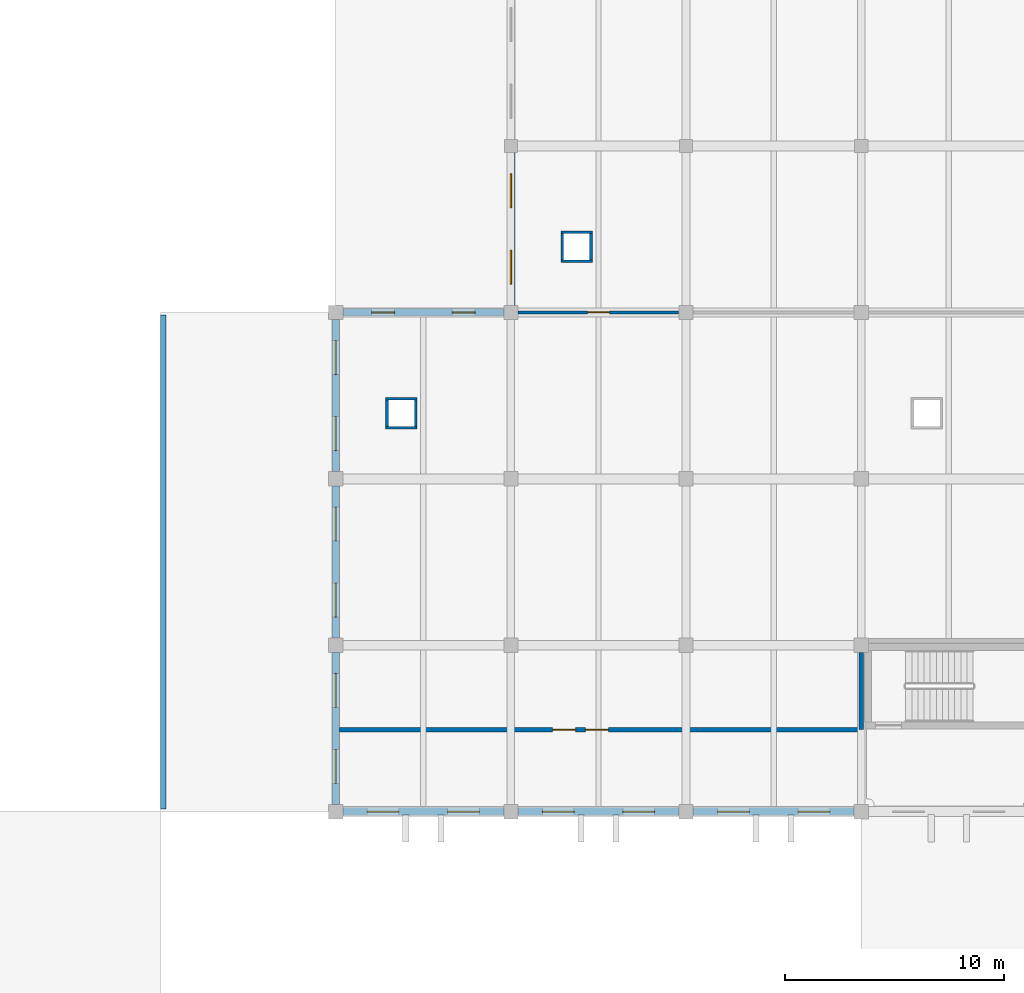
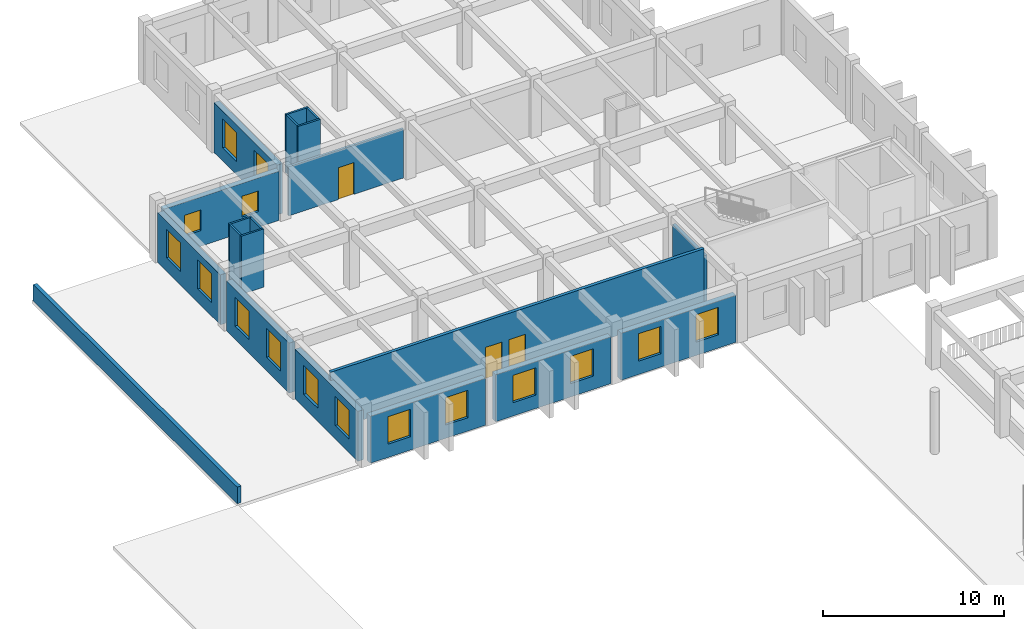
# One storey, part 38 of 63: 20 walls, 16 windows, 3 doors, 19 openings.
"""IFC4 building model written with IfcOpenShell, lengths in metres."""

from ifc_helpers import new_model, si_unit, direction, frame, frame_2d, origin, place, context, subcontext, project, spatial, rectangle, extrude, material, layer, layer_set, type_object, element, fill, save


model = new_model("IFC4")

# Units and contexts
model_context = context("Model", 3, precision=1e-05, world=origin(), true_north=direction((0.0, 1.0)))
body_context = subcontext(model_context, "Body", "Model", "MODEL_VIEW")
ifc_project = project(units=[si_unit("LENGTHUNIT", "METRE"), si_unit("AREAUNIT", "SQUARE_METRE"), si_unit("VOLUMEUNIT", "CUBIC_METRE"), si_unit("PLANEANGLEUNIT", "RADIAN"), si_unit("MASSUNIT", "GRAM", prefix="KILO")], contexts=[model_context])

# Site, building, storey
site_placement = place(None, origin())
site = spatial("IfcSite", under=ifc_project, at=site_placement, CompositionType="ELEMENT")
building_placement = place(site_placement, origin())
building = spatial("IfcBuilding", under=site, at=building_placement, Name="Zantavel Square City Hall", CompositionType="ELEMENT")
storey_placement = place(building_placement, frame((0.0, 0.0, 14.699951171875)))
storey = spatial("IfcBuildingStorey", under=building, at=storey_placement, Name="L04", CompositionType="ELEMENT", Elevation=14.699951171875)

# Wall
ifc_material_1 = material(Name="Cantera volcanic tuff stone", Category="masonry")
ifc_layer_1 = layer(ifc_material_1, 0.239990234375, Name="Cantera volcanic tuff stone")
ifc_layer_set_1 = layer_set([ifc_layer_1], Name="Cantera volcanic tuff stone")
wall_type_1 = type_object("IfcWallType", Name="Cantera Wing Roof Parapet 240mm", PredefinedType="PARAPET", material=ifc_layer_set_1)
wall_1_placement = place(storey_placement, frame((16.1201171875, 76.1201171875, 0.0), z_axis=(0.0, 0.0, 1.0), x_axis=(0.0, 1.0, 0.0)))
element("IfcWall", 1, at=wall_1_placement, inside=storey, type_object=wall_type_1, Name="L04 Roof Parapet Wall 08", PredefinedType="PARAPET", context=body_context, shape_type="SweptSolid", body=[
    extrude(rectangle(XDim=22.559814453125, YDim=0.239990234375, at=frame_2d((11.27978515625, 0.0))), origin(), (0.0, 0.0, 1.0), 1.1201171875),
])

# Wall, openings, windows
ifc_layer_2 = layer(ifc_material_1, 0.360107421875, Name="Cantera volcanic tuff stone")
ifc_layer_set_2 = layer_set([ifc_layer_2], Name="Cantera volcanic tuff stone")
wall_type_2 = type_object("IfcWallType", Name="Courtyard Cantera Facade Wall 360mm", PredefinedType="STANDARD", material=ifc_layer_set_2)
wall_2_placement = place(storey_placement, frame((32.0, 99.125, 0.0), z_axis=(0.0, 0.0, 1.0), x_axis=(0.0, 1.0, 0.0)))
wall_2 = element("IfcWall", 2, at=wall_2_placement, inside=storey, type_object=wall_type_2, Name="L04 Exterior Wall EW-L04-021", PredefinedType="STANDARD", context=body_context, shape_type="SweptSolid", body=[
    extrude(rectangle(XDim=6.97509765625, YDim=0.360107421875, at=frame_2d((3.487548828125, 0.0))), origin(), (0.0, 0.0, 1.0), 3.3701171875),
])
opening_1_placement = place(wall_2_placement, frame((0.96875, 0.0, 0.89990234375)))
opening_1 = element("IfcOpeningElement", 3, at=opening_1_placement, cuts=wall_2, Name="Opening W-426", PredefinedType="OPENING", context=body_context, shape_type="SweptSolid", body=[
    extrude(rectangle(XDim=1.550048828125, YDim=1.949951171875, at=frame_2d((0.77490234375, 0.97509765625))), frame((0.0, 0.18994140625, 0.0), z_axis=(0.0, -1.0, 0.0), x_axis=(1.0, 0.0, 0.0)), (0.0, 0.0, 1.0), 0.380126953125),
])
opening_2_placement = place(wall_2_placement, frame((4.456298828125, 0.0, 0.89990234375)))
opening_2 = element("IfcOpeningElement", 4, at=opening_2_placement, cuts=wall_2, Name="Opening W-427", PredefinedType="OPENING", context=body_context, shape_type="SweptSolid", body=[
    extrude(rectangle(XDim=1.550048828125, YDim=1.949951171875, at=frame_2d((0.77490234375, 0.97509765625))), frame((0.0, 0.18994140625, 0.0), z_axis=(0.0, -1.0, 0.0), x_axis=(1.0, 0.0, 0.0)), (0.0, 0.0, 1.0), 0.380126953125),
])
ifc_material_2 = material(Name="Tempered safety glass low-E double glazing", Category="glass")
window_type_1 = type_object("IfcWindowType", Name="Window Committee Suite 1550x1950", PartitioningType="DOUBLE_PANEL_VERTICAL", PredefinedType="WINDOW", material=ifc_material_2)
window_1_placement = place(opening_1_placement, origin())
window_1 = element("IfcWindow", 5, at=window_1_placement, inside=storey, type_object=window_type_1, Name="L04 Window W-426", OverallHeight=1.949951171875, OverallWidth=1.550048828125, PartitioningType="DOUBLE_PANEL_VERTICAL", PredefinedType="WINDOW", context=body_context, shape_type="SweptSolid", body=[
    extrude(rectangle(XDim=1.550048828125, YDim=1.949951171875, at=frame_2d((0.77490234375, 0.97509765625))), frame((0.0, 0.030029296875, 0.0), z_axis=(0.0, -1.0, 0.0), x_axis=(1.0, 0.0, 0.0)), (0.0, 0.0, 1.0), 0.06005859375),
])
fill(opening_1, window_1)
window_2_placement = place(opening_2_placement, origin())
window_2 = element("IfcWindow", 6, at=window_2_placement, inside=storey, type_object=window_type_1, Name="L04 Window W-427", OverallHeight=1.949951171875, OverallWidth=1.550048828125, PartitioningType="DOUBLE_PANEL_VERTICAL", PredefinedType="WINDOW", context=body_context, shape_type="SweptSolid", body=[
    extrude(rectangle(XDim=1.550048828125, YDim=1.949951171875, at=frame_2d((0.77490234375, 0.97509765625))), frame((0.0, 0.030029296875, 0.0), z_axis=(0.0, -1.0, 0.0), x_axis=(1.0, 0.0, 0.0)), (0.0, 0.0, 1.0), 0.06005859375),
])
fill(opening_2, window_2)

wall_3_placement = place(storey_placement, frame((47.675048828125, 76.0, 0.0), z_axis=(0.0, 0.0, 1.0), x_axis=(-1.0, 0.0, 0.0)))
wall_3 = element("IfcWall", 7, at=wall_3_placement, inside=storey, type_object=wall_type_2, Name="L04 Exterior Wall EW-L04-037", PredefinedType="STANDARD", context=body_context, shape_type="SweptSolid", body=[
    extrude(rectangle(XDim=7.35009765625, YDim=0.360107421875, at=frame_2d((3.675048828125, 0.0))), origin(), (0.0, 0.0, 1.0), 3.170166015625),
])
opening_3_placement = place(wall_3_placement, frame((1.112548828125, 0.0, 0.89990234375)))
opening_3 = element("IfcOpeningElement", 8, at=opening_3_placement, cuts=wall_3, Name="Opening W-452", PredefinedType="OPENING", context=body_context, shape_type="SweptSolid", body=[
    extrude(rectangle(XDim=1.449951171875, YDim=1.85009765625, at=frame_2d((0.72509765625, 0.925048828125))), frame((0.0, 0.18994140625, 0.0), z_axis=(0.0, -1.0, 0.0), x_axis=(1.0, 0.0, 0.0)), (0.0, 0.0, 1.0), 0.380126953125),
])
opening_4_placement = place(wall_3_placement, frame((4.78759765625, 0.0, 0.89990234375)))
opening_4 = element("IfcOpeningElement", 9, at=opening_4_placement, cuts=wall_3, Name="Opening W-453", PredefinedType="OPENING", context=body_context, shape_type="SweptSolid", body=[
    extrude(rectangle(XDim=1.449951171875, YDim=1.85009765625, at=frame_2d((0.72509765625, 0.925048828125))), frame((0.0, 0.18994140625, 0.0), z_axis=(0.0, -1.0, 0.0), x_axis=(1.0, 0.0, 0.0)), (0.0, 0.0, 1.0), 0.380126953125),
])
window_type_2 = type_object("IfcWindowType", Name="Window Secretariat South 1450x1850", PartitioningType="DOUBLE_PANEL_VERTICAL", PredefinedType="WINDOW", material=ifc_material_2)
window_3_placement = place(opening_3_placement, origin())
window_3 = element("IfcWindow", 10, at=window_3_placement, inside=storey, type_object=window_type_2, Name="L04 Window W-452", OverallHeight=1.85009765625, OverallWidth=1.449951171875, PartitioningType="DOUBLE_PANEL_VERTICAL", PredefinedType="WINDOW", context=body_context, shape_type="SweptSolid", body=[
    extrude(rectangle(XDim=1.449951171875, YDim=1.85009765625, at=frame_2d((0.72509765625, 0.925048828125))), frame((0.0, 0.030029296875, 0.0), z_axis=(0.0, -1.0, 0.0), x_axis=(1.0, 0.0, 0.0)), (0.0, 0.0, 1.0), 0.06005859375),
])
fill(opening_3, window_3)
window_4_placement = place(opening_4_placement, origin())
window_4 = element("IfcWindow", 11, at=window_4_placement, inside=storey, type_object=window_type_2, Name="L04 Window W-453", OverallHeight=1.85009765625, OverallWidth=1.449951171875, PartitioningType="DOUBLE_PANEL_VERTICAL", PredefinedType="WINDOW", context=body_context, shape_type="SweptSolid", body=[
    extrude(rectangle(XDim=1.449951171875, YDim=1.85009765625, at=frame_2d((0.72509765625, 0.925048828125))), frame((0.0, 0.030029296875, 0.0), z_axis=(0.0, -1.0, 0.0), x_axis=(1.0, 0.0, 0.0)), (0.0, 0.0, 1.0), 0.06005859375),
])
fill(opening_4, window_4)

wall_4_placement = place(storey_placement, frame((39.675048828125, 76.0, 0.0), z_axis=(0.0, 0.0, 1.0), x_axis=(-1.0, 0.0, 0.0)))
wall_4 = element("IfcWall", 12, at=wall_4_placement, inside=storey, type_object=wall_type_2, Name="L04 Exterior Wall EW-L04-038", PredefinedType="STANDARD", context=body_context, shape_type="SweptSolid", body=[
    extrude(rectangle(XDim=7.35009765625, YDim=0.360107421875, at=frame_2d((3.675048828125, 0.0))), origin(), (0.0, 0.0, 1.0), 3.170166015625),
])
opening_5_placement = place(wall_4_placement, frame((1.112548828125, 0.0, 0.89990234375)))
opening_5 = element("IfcOpeningElement", 13, at=opening_5_placement, cuts=wall_4, Name="Opening W-454", PredefinedType="OPENING", context=body_context, shape_type="SweptSolid", body=[
    extrude(rectangle(XDim=1.449951171875, YDim=1.85009765625, at=frame_2d((0.72509765625, 0.925048828125))), frame((0.0, 0.18994140625, 0.0), z_axis=(0.0, -1.0, 0.0), x_axis=(1.0, 0.0, 0.0)), (0.0, 0.0, 1.0), 0.380126953125),
])
opening_6_placement = place(wall_4_placement, frame((4.78759765625, 0.0, 0.89990234375)))
opening_6 = element("IfcOpeningElement", 14, at=opening_6_placement, cuts=wall_4, Name="Opening W-455", PredefinedType="OPENING", context=body_context, shape_type="SweptSolid", body=[
    extrude(rectangle(XDim=1.449951171875, YDim=1.85009765625, at=frame_2d((0.72509765625, 0.925048828125))), frame((0.0, 0.18994140625, 0.0), z_axis=(0.0, -1.0, 0.0), x_axis=(1.0, 0.0, 0.0)), (0.0, 0.0, 1.0), 0.380126953125),
])
window_5_placement = place(opening_5_placement, origin())
window_5 = element("IfcWindow", 15, at=window_5_placement, inside=storey, type_object=window_type_2, Name="L04 Window W-454", OverallHeight=1.85009765625, OverallWidth=1.449951171875, PartitioningType="DOUBLE_PANEL_VERTICAL", PredefinedType="WINDOW", context=body_context, shape_type="SweptSolid", body=[
    extrude(rectangle(XDim=1.449951171875, YDim=1.85009765625, at=frame_2d((0.72509765625, 0.925048828125))), frame((0.0, 0.030029296875, 0.0), z_axis=(0.0, -1.0, 0.0), x_axis=(1.0, 0.0, 0.0)), (0.0, 0.0, 1.0), 0.06005859375),
])
fill(opening_5, window_5)
window_6_placement = place(opening_6_placement, origin())
window_6 = element("IfcWindow", 16, at=window_6_placement, inside=storey, type_object=window_type_2, Name="L04 Window W-455", OverallHeight=1.85009765625, OverallWidth=1.449951171875, PartitioningType="DOUBLE_PANEL_VERTICAL", PredefinedType="WINDOW", context=body_context, shape_type="SweptSolid", body=[
    extrude(rectangle(XDim=1.449951171875, YDim=1.85009765625, at=frame_2d((0.72509765625, 0.925048828125))), frame((0.0, 0.030029296875, 0.0), z_axis=(0.0, -1.0, 0.0), x_axis=(1.0, 0.0, 0.0)), (0.0, 0.0, 1.0), 0.06005859375),
])
fill(opening_6, window_6)

wall_5_placement = place(storey_placement, frame((31.675048828125, 76.0, 0.0), z_axis=(0.0, 0.0, 1.0), x_axis=(-1.0, 0.0, 0.0)))
wall_5 = element("IfcWall", 17, at=wall_5_placement, inside=storey, type_object=wall_type_2, Name="L04 Exterior Wall EW-L04-039", PredefinedType="STANDARD", context=body_context, shape_type="SweptSolid", body=[
    extrude(rectangle(XDim=7.35009765625, YDim=0.360107421875, at=frame_2d((3.675048828125, 0.0))), origin(), (0.0, 0.0, 1.0), 3.170166015625),
])
opening_7_placement = place(wall_5_placement, frame((1.112548828125, 0.0, 0.89990234375)))
opening_7 = element("IfcOpeningElement", 18, at=opening_7_placement, cuts=wall_5, Name="Opening W-456", PredefinedType="OPENING", context=body_context, shape_type="SweptSolid", body=[
    extrude(rectangle(XDim=1.449951171875, YDim=1.85009765625, at=frame_2d((0.72509765625, 0.925048828125))), frame((0.0, 0.18994140625, 0.0), z_axis=(0.0, -1.0, 0.0), x_axis=(1.0, 0.0, 0.0)), (0.0, 0.0, 1.0), 0.380126953125),
])
opening_8_placement = place(wall_5_placement, frame((4.78759765625, 0.0, 0.89990234375)))
opening_8 = element("IfcOpeningElement", 19, at=opening_8_placement, cuts=wall_5, Name="Opening W-457", PredefinedType="OPENING", context=body_context, shape_type="SweptSolid", body=[
    extrude(rectangle(XDim=1.449951171875, YDim=1.85009765625, at=frame_2d((0.72509765625, 0.925048828125))), frame((0.0, 0.18994140625, 0.0), z_axis=(0.0, -1.0, 0.0), x_axis=(1.0, 0.0, 0.0)), (0.0, 0.0, 1.0), 0.380126953125),
])
window_7_placement = place(opening_7_placement, origin())
window_7 = element("IfcWindow", 20, at=window_7_placement, inside=storey, type_object=window_type_2, Name="L04 Window W-456", OverallHeight=1.85009765625, OverallWidth=1.449951171875, PartitioningType="DOUBLE_PANEL_VERTICAL", PredefinedType="WINDOW", context=body_context, shape_type="SweptSolid", body=[
    extrude(rectangle(XDim=1.449951171875, YDim=1.85009765625, at=frame_2d((0.72509765625, 0.925048828125))), frame((0.0, 0.030029296875, 0.0), z_axis=(0.0, -1.0, 0.0), x_axis=(1.0, 0.0, 0.0)), (0.0, 0.0, 1.0), 0.06005859375),
])
fill(opening_7, window_7)
window_8_placement = place(opening_8_placement, origin())
window_8 = element("IfcWindow", 21, at=window_8_placement, inside=storey, type_object=window_type_2, Name="L04 Window W-457", OverallHeight=1.85009765625, OverallWidth=1.449951171875, PartitioningType="DOUBLE_PANEL_VERTICAL", PredefinedType="WINDOW", context=body_context, shape_type="SweptSolid", body=[
    extrude(rectangle(XDim=1.449951171875, YDim=1.85009765625, at=frame_2d((0.72509765625, 0.925048828125))), frame((0.0, 0.030029296875, 0.0), z_axis=(0.0, -1.0, 0.0), x_axis=(1.0, 0.0, 0.0)), (0.0, 0.0, 1.0), 0.06005859375),
])
fill(opening_8, window_8)

wall_6_placement = place(storey_placement, frame((24.0, 76.324951171875, 0.0), z_axis=(0.0, 0.0, 1.0), x_axis=(0.0, 1.0, 0.0)))
wall_6 = element("IfcWall", 22, at=wall_6_placement, inside=storey, type_object=wall_type_2, Name="L04 Exterior Wall EW-L04-040", PredefinedType="STANDARD", context=body_context, shape_type="SweptSolid", body=[
    extrude(rectangle(XDim=6.949951171875, YDim=0.360107421875, at=frame_2d((3.47509765625, 0.0))), origin(), (0.0, 0.0, 1.0), 3.3701171875),
])
opening_9_placement = place(wall_6_placement, frame((0.96240234375, 0.0, 0.89990234375)))
opening_9 = element("IfcOpeningElement", 23, at=opening_9_placement, cuts=wall_6, Name="Opening W-458", PredefinedType="OPENING", context=body_context, shape_type="SweptSolid", body=[
    extrude(rectangle(XDim=1.550048828125, YDim=1.949951171875, at=frame_2d((0.77490234375, 0.97509765625))), frame((0.0, 0.18994140625, 0.0), z_axis=(0.0, -1.0, 0.0), x_axis=(1.0, 0.0, 0.0)), (0.0, 0.0, 1.0), 0.380126953125),
])
opening_10_placement = place(wall_6_placement, frame((4.4375, 0.0, 0.89990234375)))
opening_10 = element("IfcOpeningElement", 24, at=opening_10_placement, cuts=wall_6, Name="Opening W-459", PredefinedType="OPENING", context=body_context, shape_type="SweptSolid", body=[
    extrude(rectangle(XDim=1.550048828125, YDim=1.949951171875, at=frame_2d((0.77490234375, 0.97509765625))), frame((0.0, 0.18994140625, 0.0), z_axis=(0.0, -1.0, 0.0), x_axis=(1.0, 0.0, 0.0)), (0.0, 0.0, 1.0), 0.380126953125),
])
window_9_placement = place(opening_9_placement, origin())
window_9 = element("IfcWindow", 25, at=window_9_placement, inside=storey, type_object=window_type_1, Name="L04 Window W-458", OverallHeight=1.949951171875, OverallWidth=1.550048828125, PartitioningType="DOUBLE_PANEL_VERTICAL", PredefinedType="WINDOW", context=body_context, shape_type="SweptSolid", body=[
    extrude(rectangle(XDim=1.550048828125, YDim=1.949951171875, at=frame_2d((0.77490234375, 0.97509765625))), frame((0.0, 0.030029296875, 0.0), z_axis=(0.0, -1.0, 0.0), x_axis=(1.0, 0.0, 0.0)), (0.0, 0.0, 1.0), 0.06005859375),
])
fill(opening_9, window_9)
window_10_placement = place(opening_10_placement, origin())
window_10 = element("IfcWindow", 26, at=window_10_placement, inside=storey, type_object=window_type_1, Name="L04 Window W-459", OverallHeight=1.949951171875, OverallWidth=1.550048828125, PartitioningType="DOUBLE_PANEL_VERTICAL", PredefinedType="WINDOW", context=body_context, shape_type="SweptSolid", body=[
    extrude(rectangle(XDim=1.550048828125, YDim=1.949951171875, at=frame_2d((0.77490234375, 0.97509765625))), frame((0.0, 0.030029296875, 0.0), z_axis=(0.0, -1.0, 0.0), x_axis=(1.0, 0.0, 0.0)), (0.0, 0.0, 1.0), 0.06005859375),
])
fill(opening_10, window_10)

wall_7_placement = place(storey_placement, frame((24.0, 83.925048828125, 0.0), z_axis=(0.0, 0.0, 1.0), x_axis=(0.0, 1.0, 0.0)))
wall_7 = element("IfcWall", 27, at=wall_7_placement, inside=storey, type_object=wall_type_2, Name="L04 Exterior Wall EW-L04-041", PredefinedType="STANDARD", context=body_context, shape_type="SweptSolid", body=[
    extrude(rectangle(XDim=6.949951171875, YDim=0.360107421875, at=frame_2d((3.47509765625, 0.0))), origin(), (0.0, 0.0, 1.0), 3.3701171875),
])
opening_11_placement = place(wall_7_placement, frame((0.96240234375, 0.0, 0.89990234375)))
opening_11 = element("IfcOpeningElement", 28, at=opening_11_placement, cuts=wall_7, Name="Opening W-460", PredefinedType="OPENING", context=body_context, shape_type="SweptSolid", body=[
    extrude(rectangle(XDim=1.550048828125, YDim=1.949951171875, at=frame_2d((0.77490234375, 0.97509765625))), frame((0.0, 0.18994140625, 0.0), z_axis=(0.0, -1.0, 0.0), x_axis=(1.0, 0.0, 0.0)), (0.0, 0.0, 1.0), 0.380126953125),
])
opening_12_placement = place(wall_7_placement, frame((4.4375, 0.0, 0.89990234375)))
opening_12 = element("IfcOpeningElement", 29, at=opening_12_placement, cuts=wall_7, Name="Opening W-461", PredefinedType="OPENING", context=body_context, shape_type="SweptSolid", body=[
    extrude(rectangle(XDim=1.550048828125, YDim=1.949951171875, at=frame_2d((0.77490234375, 0.97509765625))), frame((0.0, 0.18994140625, 0.0), z_axis=(0.0, -1.0, 0.0), x_axis=(1.0, 0.0, 0.0)), (0.0, 0.0, 1.0), 0.380126953125),
])
window_11_placement = place(opening_11_placement, origin())
window_11 = element("IfcWindow", 30, at=window_11_placement, inside=storey, type_object=window_type_1, Name="L04 Window W-460", OverallHeight=1.949951171875, OverallWidth=1.550048828125, PartitioningType="DOUBLE_PANEL_VERTICAL", PredefinedType="WINDOW", context=body_context, shape_type="SweptSolid", body=[
    extrude(rectangle(XDim=1.550048828125, YDim=1.949951171875, at=frame_2d((0.77490234375, 0.97509765625))), frame((0.0, 0.030029296875, 0.0), z_axis=(0.0, -1.0, 0.0), x_axis=(1.0, 0.0, 0.0)), (0.0, 0.0, 1.0), 0.06005859375),
])
fill(opening_11, window_11)
window_12_placement = place(opening_12_placement, origin())
window_12 = element("IfcWindow", 31, at=window_12_placement, inside=storey, type_object=window_type_1, Name="L04 Window W-461", OverallHeight=1.949951171875, OverallWidth=1.550048828125, PartitioningType="DOUBLE_PANEL_VERTICAL", PredefinedType="WINDOW", context=body_context, shape_type="SweptSolid", body=[
    extrude(rectangle(XDim=1.550048828125, YDim=1.949951171875, at=frame_2d((0.77490234375, 0.97509765625))), frame((0.0, 0.030029296875, 0.0), z_axis=(0.0, -1.0, 0.0), x_axis=(1.0, 0.0, 0.0)), (0.0, 0.0, 1.0), 0.06005859375),
])
fill(opening_12, window_12)

wall_8_placement = place(storey_placement, frame((24.0, 91.52490234375, 0.0), z_axis=(0.0, 0.0, 1.0), x_axis=(0.0, 1.0, 0.0)))
wall_8 = element("IfcWall", 32, at=wall_8_placement, inside=storey, type_object=wall_type_2, Name="L04 Exterior Wall EW-L04-042", PredefinedType="STANDARD", context=body_context, shape_type="SweptSolid", body=[
    extrude(rectangle(XDim=6.9501953125, YDim=0.360107421875, at=frame_2d((3.47509765625, 0.0))), origin(), (0.0, 0.0, 1.0), 3.3701171875),
])
opening_13_placement = place(wall_8_placement, frame((0.96240234375, 0.0, 0.89990234375)))
opening_13 = element("IfcOpeningElement", 33, at=opening_13_placement, cuts=wall_8, Name="Opening W-462", PredefinedType="OPENING", context=body_context, shape_type="SweptSolid", body=[
    extrude(rectangle(XDim=1.550048828125, YDim=1.949951171875, at=frame_2d((0.77490234375, 0.97509765625))), frame((0.0, 0.18994140625, 0.0), z_axis=(0.0, -1.0, 0.0), x_axis=(1.0, 0.0, 0.0)), (0.0, 0.0, 1.0), 0.380126953125),
])
opening_14_placement = place(wall_8_placement, frame((4.4375, 0.0, 0.89990234375)))
opening_14 = element("IfcOpeningElement", 34, at=opening_14_placement, cuts=wall_8, Name="Opening W-463", PredefinedType="OPENING", context=body_context, shape_type="SweptSolid", body=[
    extrude(rectangle(XDim=1.550048828125, YDim=1.949951171875, at=frame_2d((0.77490234375, 0.97509765625))), frame((0.0, 0.18994140625, 0.0), z_axis=(0.0, -1.0, 0.0), x_axis=(1.0, 0.0, 0.0)), (0.0, 0.0, 1.0), 0.380126953125),
])
window_13_placement = place(opening_13_placement, origin())
window_13 = element("IfcWindow", 35, at=window_13_placement, inside=storey, type_object=window_type_1, Name="L04 Window W-462", OverallHeight=1.949951171875, OverallWidth=1.550048828125, PartitioningType="DOUBLE_PANEL_VERTICAL", PredefinedType="WINDOW", context=body_context, shape_type="SweptSolid", body=[
    extrude(rectangle(XDim=1.550048828125, YDim=1.949951171875, at=frame_2d((0.77490234375, 0.97509765625))), frame((0.0, 0.030029296875, 0.0), z_axis=(0.0, -1.0, 0.0), x_axis=(1.0, 0.0, 0.0)), (0.0, 0.0, 1.0), 0.06005859375),
])
fill(opening_13, window_13)
window_14_placement = place(opening_14_placement, origin())
window_14 = element("IfcWindow", 36, at=window_14_placement, inside=storey, type_object=window_type_1, Name="L04 Window W-463", OverallHeight=1.949951171875, OverallWidth=1.550048828125, PartitioningType="DOUBLE_PANEL_VERTICAL", PredefinedType="WINDOW", context=body_context, shape_type="SweptSolid", body=[
    extrude(rectangle(XDim=1.550048828125, YDim=1.949951171875, at=frame_2d((0.77490234375, 0.97509765625))), frame((0.0, 0.030029296875, 0.0), z_axis=(0.0, -1.0, 0.0), x_axis=(1.0, 0.0, 0.0)), (0.0, 0.0, 1.0), 0.06005859375),
])
fill(opening_14, window_14)

# Wall, opening, door
ifc_material_3 = material(Name="Gypsum acoustic stud assembly", Category="masonry")
ifc_layer_3 = layer(ifc_material_3, 0.14990234375, Name="Gypsum acoustic stud assembly")
ifc_layer_set_3 = layer_set([ifc_layer_3], Name="Gypsum acoustic stud assembly")
wall_type_3 = type_object("IfcWallType", Name="Department Office Partition 150mm", PredefinedType="PARTITIONING", material=ifc_layer_set_3)
wall_9_placement = place(storey_placement, frame((32.3349609375, 98.800048828125, 0.0), z_axis=(0.0, 0.0, 1.0), x_axis=(1.0, 0.0, 0.0)))
wall_9 = element("IfcWall", 37, at=wall_9_placement, inside=storey, type_object=wall_type_3, Name="L04 Interior Wall IW-L04-0327", PredefinedType="PARTITIONING", context=body_context, shape_type="SweptSolid", body=[
    extrude(rectangle(XDim=7.330078125, YDim=0.14990234375, at=frame_2d((3.6650390625, 0.0))), origin(), (0.0, 0.0, 1.0), 3.320068359375),
])
opening_15_placement = place(wall_9_placement, frame((3.1650390625, 0.0, 0.0)))
opening_15 = element("IfcOpeningElement", 38, at=opening_15_placement, cuts=wall_9, Name="Opening D-0157", PredefinedType="OPENING", context=body_context, shape_type="SweptSolid", body=[
    extrude(rectangle(XDim=1.0, YDim=2.14990234375, at=frame_2d((0.5, 1.074951171875))), frame((0.0, 0.0849609375, 0.0), z_axis=(0.0, -1.0, 0.0), x_axis=(1.0, 0.0, 0.0)), (0.0, 0.0, 1.0), 0.169921875),
])
ifc_material_4 = material(Name="Solid oak hardwood", Category="wood")
door_type_1 = type_object("IfcDoorType", Name="Suite Internal Oak Single Door 1000x2150", OperationType="NOTDEFINED", PredefinedType="DOOR", material=ifc_material_4)
door_1_placement = place(opening_15_placement, origin())
door_1 = element("IfcDoor", 39, at=door_1_placement, inside=storey, type_object=door_type_1, Name="L04 Municipal Command Centre C4 Door", OperationType="SINGLE_SWING_LEFT", OverallHeight=2.14990234375, OverallWidth=1.0, PredefinedType="DOOR", context=body_context, shape_type="SweptSolid", body=[
    extrude(rectangle(XDim=1.0, YDim=2.14990234375, at=frame_2d((0.5, 1.074951171875))), frame((0.0, 0.02490234375, 0.0), z_axis=(0.0, -1.0, 0.0), x_axis=(1.0, 0.0, 0.0)), (0.0, 0.0, 1.0), 0.050048828125),
])
fill(opening_15, door_1)

# Wall
ifc_layer_4 = layer(ifc_material_1, 0.199951171875, Name="Cantera volcanic tuff stone")
ifc_layer_set_4 = layer_set([ifc_layer_4], Name="Cantera volcanic tuff stone")
wall_type_4 = type_object("IfcWallType", Name="Exit Corridor Rated Wall 200mm", PredefinedType="STANDARD", material=ifc_layer_set_4)
wall_10_placement = place(storey_placement, frame((48.0, 79.75, 0.0), z_axis=(0.0, 0.0, 1.0), x_axis=(0.0, 1.0, 0.0)))
element("IfcWall", 40, at=wall_10_placement, inside=storey, type_object=wall_type_4, Name="L04 Interior Wall IW-L04-0298", PredefinedType="STANDARD", context=body_context, shape_type="SweptSolid", body=[
    extrude(rectangle(XDim=3.514892578125, YDim=0.199951171875, at=frame_2d((1.75732421875, 0.0))), origin(), (0.0, 0.0, 1.0), 3.3701171875),
])

# Wall, openings, doors
wall_11_placement = place(storey_placement, frame((47.85009765625, 79.75, 0.0), z_axis=(0.0, 0.0, 1.0), x_axis=(-1.0, 0.0, 0.0)))
wall_11 = element("IfcWall", 41, at=wall_11_placement, inside=storey, type_object=wall_type_4, Name="L04 Interior Wall IW-L04-0330", PredefinedType="STANDARD", context=body_context, shape_type="SweptSolid", body=[
    extrude(rectangle(XDim=23.85009765625, YDim=0.199951171875, at=frame_2d((11.925048828125, 0.0))), origin(), (0.0, 0.0, 1.0), 3.929931640625),
])
opening_16_placement = place(wall_11_placement, frame((11.39990234375, 0.0, 0.0)))
opening_16 = element("IfcOpeningElement", 42, at=opening_16_placement, cuts=wall_11, Name="Opening D-0152", PredefinedType="OPENING", context=body_context, shape_type="SweptSolid", body=[
    extrude(rectangle(XDim=1.050048828125, YDim=2.14990234375, at=frame_2d((0.52490234375, 1.074951171875))), frame((0.0, 0.10986328125, 0.0), z_axis=(0.0, -1.0, 0.0), x_axis=(1.0, 0.0, 0.0)), (0.0, 0.0, 1.0), 0.219970703125),
])
opening_17_placement = place(wall_11_placement, frame((12.89990234375, 0.0, 0.0)))
opening_17 = element("IfcOpeningElement", 43, at=opening_17_placement, cuts=wall_11, Name="Opening D-0158", PredefinedType="OPENING", context=body_context, shape_type="SweptSolid", body=[
    extrude(rectangle(XDim=1.050048828125, YDim=2.14990234375, at=frame_2d((0.52490234375, 1.074951171875))), frame((0.0, 0.10986328125, 0.0), z_axis=(0.0, -1.0, 0.0), x_axis=(1.0, 0.0, 0.0)), (0.0, 0.0, 1.0), 0.219970703125),
])
door_type_2 = type_object("IfcDoorType", Name="Corridor Office Oak Fire Door 1050x2150 FD60S", OperationType="NOTDEFINED", PredefinedType="DOOR", material=ifc_material_4)
door_2_placement = place(opening_16_placement, origin())
door_2 = element("IfcDoor", 44, at=door_2_placement, inside=storey, type_object=door_type_2, Name="L04 Municipal Comptroller Audit Suite Door", OperationType="SINGLE_SWING_RIGHT", OverallHeight=2.14990234375, OverallWidth=1.050048828125, PredefinedType="DOOR", context=body_context, shape_type="SweptSolid", body=[
    extrude(rectangle(XDim=1.050048828125, YDim=2.14990234375, at=frame_2d((0.52490234375, 1.074951171875))), frame((0.0, 0.02490234375, 0.0), z_axis=(0.0, -1.0, 0.0), x_axis=(1.0, 0.0, 0.0)), (0.0, 0.0, 1.0), 0.050048828125),
])
fill(opening_16, door_2)
door_3_placement = place(opening_17_placement, origin())
door_3 = element("IfcDoor", 45, at=door_3_placement, inside=storey, type_object=door_type_2, Name="L04 Municipal Comptroller Audit Suite Door", OperationType="SINGLE_SWING_RIGHT", OverallHeight=2.14990234375, OverallWidth=1.050048828125, PredefinedType="DOOR", context=body_context, shape_type="SweptSolid", body=[
    extrude(rectangle(XDim=1.050048828125, YDim=2.14990234375, at=frame_2d((0.52490234375, 1.074951171875))), frame((0.0, 0.02490234375, 0.0), z_axis=(0.0, -1.0, 0.0), x_axis=(1.0, 0.0, 0.0)), (0.0, 0.0, 1.0), 0.050048828125),
])
fill(opening_17, door_3)

# Wall, openings, windows
ifc_layer_5 = layer(ifc_material_1, 0.340087890625, Name="Cantera volcanic tuff stone")
ifc_layer_set_5 = layer_set([ifc_layer_5], Name="Cantera volcanic tuff stone")
wall_type_5 = type_object("IfcWallType", Name="North Insulated Cantera Wall 340mm", PredefinedType="STANDARD", material=ifc_layer_set_5)
wall_12_placement = place(storey_placement, frame((24.324951171875, 98.800048828125, 0.0), z_axis=(0.0, 0.0, 1.0), x_axis=(1.0, 0.0, 0.0)))
wall_12 = element("IfcWall", 46, at=wall_12_placement, inside=storey, type_object=wall_type_5, Name="L04 Exterior Wall EW-L04-043", PredefinedType="STANDARD", context=body_context, shape_type="SweptSolid", body=[
    extrude(rectangle(XDim=7.35009765625, YDim=0.340087890625, at=frame_2d((3.675048828125, 0.0))), origin(), (0.0, 0.0, 1.0), 3.320068359375),
])
opening_18_placement = place(wall_12_placement, frame((1.3125, 0.0, 1.050048828125)))
opening_18 = element("IfcOpeningElement", 47, at=opening_18_placement, cuts=wall_12, Name="Opening W-464", PredefinedType="OPENING", context=body_context, shape_type="SweptSolid", body=[
    extrude(rectangle(XDim=1.050048828125, YDim=1.39990234375, at=frame_2d((0.52490234375, 0.699951171875))), frame((0.0, 0.179931640625, 0.0), z_axis=(0.0, -1.0, 0.0), x_axis=(1.0, 0.0, 0.0)), (0.0, 0.0, 1.0), 0.360107421875),
])
opening_19_placement = place(wall_12_placement, frame((4.987548828125, 0.0, 1.050048828125)))
opening_19 = element("IfcOpeningElement", 48, at=opening_19_placement, cuts=wall_12, Name="Opening W-465", PredefinedType="OPENING", context=body_context, shape_type="SweptSolid", body=[
    extrude(rectangle(XDim=1.050048828125, YDim=1.39990234375, at=frame_2d((0.52490234375, 0.699951171875))), frame((0.0, 0.179931640625, 0.0), z_axis=(0.0, -1.0, 0.0), x_axis=(1.0, 0.0, 0.0)), (0.0, 0.0, 1.0), 0.360107421875),
])
window_type_3 = type_object("IfcWindowType", Name="Window C4 Command North 1050x1400", PartitioningType="SINGLE_PANEL", PredefinedType="WINDOW", material=ifc_material_2)
window_15_placement = place(opening_18_placement, origin())
window_15 = element("IfcWindow", 49, at=window_15_placement, inside=storey, type_object=window_type_3, Name="L04 Window W-464", OverallHeight=1.39990234375, OverallWidth=1.050048828125, PartitioningType="SINGLE_PANEL", PredefinedType="WINDOW", context=body_context, shape_type="SweptSolid", body=[
    extrude(rectangle(XDim=1.050048828125, YDim=1.39990234375, at=frame_2d((0.52490234375, 0.699951171875))), frame((0.0, 0.030029296875, 0.0), z_axis=(0.0, -1.0, 0.0), x_axis=(1.0, 0.0, 0.0)), (0.0, 0.0, 1.0), 0.06005859375),
])
fill(opening_18, window_15)
window_16_placement = place(opening_19_placement, origin())
window_16 = element("IfcWindow", 50, at=window_16_placement, inside=storey, type_object=window_type_3, Name="L04 Window W-465", OverallHeight=1.39990234375, OverallWidth=1.050048828125, PartitioningType="SINGLE_PANEL", PredefinedType="WINDOW", context=body_context, shape_type="SweptSolid", body=[
    extrude(rectangle(XDim=1.050048828125, YDim=1.39990234375, at=frame_2d((0.52490234375, 0.699951171875))), frame((0.0, 0.030029296875, 0.0), z_axis=(0.0, -1.0, 0.0), x_axis=(1.0, 0.0, 0.0)), (0.0, 0.0, 1.0), 0.06005859375),
])
fill(opening_19, window_16)

# Walls
ifc_material_5 = material(Name="Concrete C35/45", Category="concrete")
ifc_layer_6 = layer(ifc_material_5, 0.1201171875, Name="Concrete C35/45")
ifc_layer_set_6 = layer_set([ifc_layer_6], Name="Concrete C35/45")
wall_type_6 = type_object("IfcWallType", Name="Riser Chase Wall RC 120mm C35/45", PredefinedType="PARTITIONING", material=ifc_layer_set_6)
wall_13_placement = place(storey_placement, frame((27.719970703125, 93.5400390625, 0.0), z_axis=(0.0, 0.0, 1.0), x_axis=(-1.0, 0.0, 0.0)))
element("IfcWall", 51, at=wall_13_placement, inside=storey, type_object=wall_type_6, Name="L04 MEP Riser 07 Wall S", PredefinedType="PARTITIONING", context=body_context, shape_type="SweptSolid", body=[
    extrude(rectangle(XDim=1.43994140625, YDim=0.1201171875, at=frame_2d((0.719970703125, 0.0))), origin(), (0.0, 0.0, 1.0), 3.929931640625),
])
wall_14_placement = place(storey_placement, frame((26.340087890625, 93.60009765625, 0.0), z_axis=(0.0, 0.0, 1.0), x_axis=(0.0, 1.0, 0.0)))
element("IfcWall", 52, at=wall_14_placement, inside=storey, type_object=wall_type_6, Name="L04 MEP Riser 07 Wall W", PredefinedType="PARTITIONING", context=body_context, shape_type="SweptSolid", body=[
    extrude(rectangle(XDim=1.199951171875, YDim=0.1201171875, at=frame_2d((0.60009765625, 0.0))), origin(), (0.0, 0.0, 1.0), 3.929931640625),
])
wall_15_placement = place(storey_placement, frame((26.280029296875, 94.860107421875, 0.0), z_axis=(0.0, 0.0, 1.0), x_axis=(1.0, 0.0, 0.0)))
element("IfcWall", 53, at=wall_15_placement, inside=storey, type_object=wall_type_6, Name="L04 MEP Riser 07 Wall N", PredefinedType="PARTITIONING", context=body_context, shape_type="SweptSolid", body=[
    extrude(rectangle(XDim=1.43994140625, YDim=0.1201171875, at=frame_2d((0.719970703125, 0.0))), origin(), (0.0, 0.0, 1.0), 3.929931640625),
])
wall_16_placement = place(storey_placement, frame((27.659912109375, 94.800048828125, 0.0), z_axis=(0.0, 0.0, 1.0), x_axis=(0.0, -1.0, 0.0)))
element("IfcWall", 54, at=wall_16_placement, inside=storey, type_object=wall_type_6, Name="L04 MEP Riser 07 Wall E", PredefinedType="PARTITIONING", context=body_context, shape_type="SweptSolid", body=[
    extrude(rectangle(XDim=1.199951171875, YDim=0.1201171875, at=frame_2d((0.60009765625, 0.0))), origin(), (0.0, 0.0, 1.0), 3.929931640625),
])
wall_17_placement = place(storey_placement, frame((35.719970703125, 101.139892578125, 0.0), z_axis=(0.0, 0.0, 1.0), x_axis=(-1.0, 0.0, 0.0)))
element("IfcWall", 55, at=wall_17_placement, inside=storey, type_object=wall_type_6, Name="L04 MEP Riser 09 Wall S", PredefinedType="PARTITIONING", context=body_context, shape_type="SweptSolid", body=[
    extrude(rectangle(XDim=1.43994140625, YDim=0.1201171875, at=frame_2d((0.719970703125, 0.0))), origin(), (0.0, 0.0, 1.0), 3.920166015625),
])
wall_18_placement = place(storey_placement, frame((34.340087890625, 101.199951171875, 0.0), z_axis=(0.0, 0.0, 1.0), x_axis=(0.0, 1.0, 0.0)))
element("IfcWall", 56, at=wall_18_placement, inside=storey, type_object=wall_type_6, Name="L04 MEP Riser 09 Wall W", PredefinedType="PARTITIONING", context=body_context, shape_type="SweptSolid", body=[
    extrude(rectangle(XDim=1.199951171875, YDim=0.1201171875, at=frame_2d((0.60009765625, 0.0))), origin(), (0.0, 0.0, 1.0), 3.920166015625),
])
wall_19_placement = place(storey_placement, frame((34.280029296875, 102.4599609375, 0.0), z_axis=(0.0, 0.0, 1.0), x_axis=(1.0, 0.0, 0.0)))
element("IfcWall", 57, at=wall_19_placement, inside=storey, type_object=wall_type_6, Name="L04 MEP Riser 09 Wall N", PredefinedType="PARTITIONING", context=body_context, shape_type="SweptSolid", body=[
    extrude(rectangle(XDim=1.43994140625, YDim=0.1201171875, at=frame_2d((0.719970703125, 0.0))), origin(), (0.0, 0.0, 1.0), 3.920166015625),
])
wall_20_placement = place(storey_placement, frame((35.659912109375, 102.39990234375, 0.0), z_axis=(0.0, 0.0, 1.0), x_axis=(0.0, -1.0, 0.0)))
element("IfcWall", 58, at=wall_20_placement, inside=storey, type_object=wall_type_6, Name="L04 MEP Riser 09 Wall E", PredefinedType="PARTITIONING", context=body_context, shape_type="SweptSolid", body=[
    extrude(rectangle(XDim=1.199951171875, YDim=0.1201171875, at=frame_2d((0.60009765625, 0.0))), origin(), (0.0, 0.0, 1.0), 3.920166015625),
])

save(model, "model.ifc")
